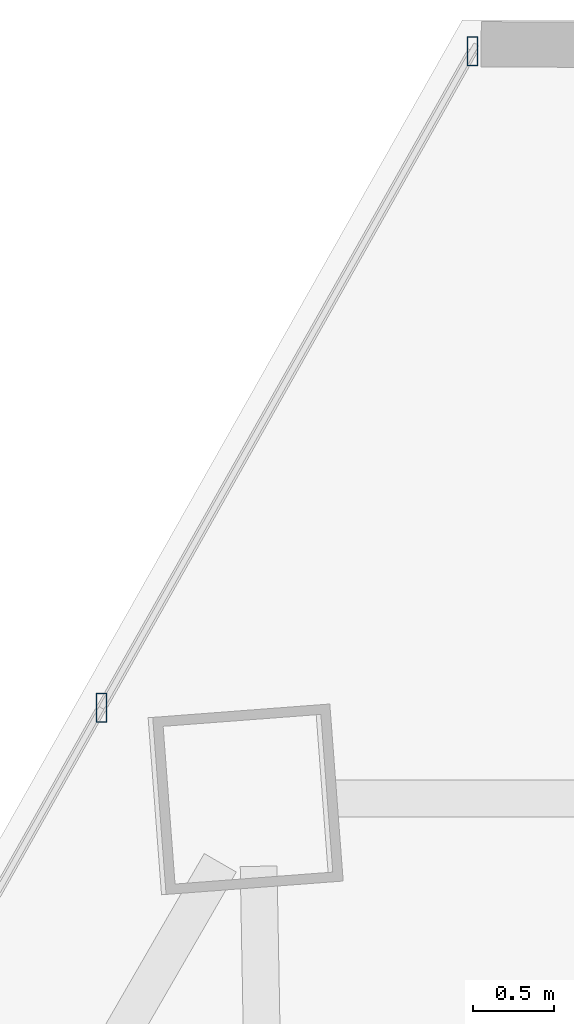
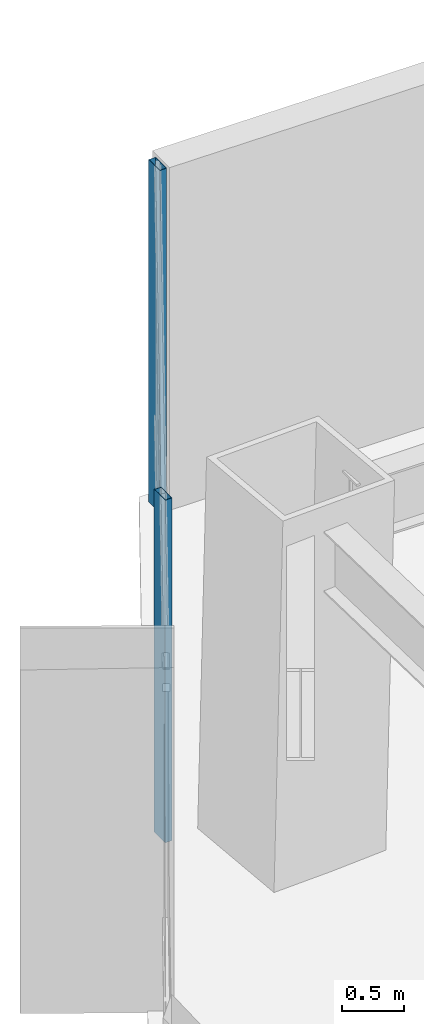
# One storey, part 25 of 35: 2 members, 1 element without a shape of its own.
"""IFC4 building model written with IfcOpenShell, lengths in metres."""

from ifc_helpers import new_model, si_unit, direction, frame, origin, origin_2d, place, context, subcontext, project, spatial, hollow_rectangle, extrude, source, transform, mapped, material, material_profile, profile_set, type_object, type_shapes, element, aggregate, save


model = new_model("IFC4")

# Units and contexts
model_context = context("Model", 3, precision=1e-05, world=origin(), true_north=direction((0.0, 1.0)))
body_context = subcontext(model_context, "Body", "Model", "MODEL_VIEW")
ifc_project = project(units=[si_unit("LENGTHUNIT", "METRE"), si_unit("AREAUNIT", "SQUARE_METRE"), si_unit("VOLUMEUNIT", "CUBIC_METRE"), si_unit("PLANEANGLEUNIT", "RADIAN"), si_unit("MASSUNIT", "GRAM", prefix="KILO")], contexts=[model_context])

# Site, building, storey
site_placement = place(None, origin())
site = spatial("IfcSite", under=ifc_project, at=site_placement, CompositionType="ELEMENT")
building_placement = place(site_placement, origin())
building = spatial("IfcBuilding", under=site, at=building_placement, Name="Caelisora Broadcast Tower", CompositionType="ELEMENT")
storey_placement = place(building_placement, frame((0.0, 0.0, 87.14990234375)))
storey = spatial("IfcBuildingStorey", under=building, at=storey_placement, Name="L22", CompositionType="ELEMENT", Elevation=87.14990234375)

# Curtain wall, members
ifc_material_1 = material(Name="Unitised Aluminium and Low-E Glass Curtain Wall", Category="glass")
curtain_wall_type = type_object("IfcCurtainWallType", Name="CW-Z2", PredefinedType="NOTDEFINED", material=ifc_material_1)
curtain_wall_placement = place(storey_placement, origin())
curtain_wall = element("IfcCurtainWall", 1, at=curtain_wall_placement, inside=storey, type_object=curtain_wall_type, Name="L22 curtain wall CW-Z2", PredefinedType="NOTDEFINED")
ifc_material_2 = material(Name="Aluminium 6063-T6 Anodised Terracotta Bronze", Category="aluminium")
ifc_material_profile = material_profile(ifc_material_2, hollow_rectangle(XDim=0.06494140625, YDim=0.179931640625, WallThickness=0.00341796875, at=origin_2d()), Name="Aluminium 6063-T6 Anodised Terracotta Bronze")
ifc_profile_set = profile_set([ifc_material_profile], Name="Aluminium 6063-T6 Anodised Terracotta Bronze")
member_type = type_object("IfcMemberType", Name="CWM-02", PredefinedType="MULLION", material=ifc_profile_set)
shared_shape = source(origin(), body_context, "Body", "SweptSolid", [
    extrude(hollow_rectangle(XDim=0.06494140625, YDim=0.179931640625, WallThickness=0.00341796875, at=origin_2d()), origin(), (0.0, 0.0, 1.0), 3.400146484375),
])
type_shapes(member_type, [shared_shape])
member_1_placement = place(storey_placement, frame((29.232421875, 46.944580078125, 0.0), z_axis=(0.0, 0.0, 1.0), x_axis=(1.0, 0.0, 0.0)))
member_1 = element("IfcMember", 2, at=member_1_placement, type_object=member_type, Name="L22-CW-B11 mullion #2", PredefinedType="MULLION", context=body_context, shape_type="MappedRepresentation", body=[
    mapped(shared_shape, transform((0.0, 0.0, 0.0), scale=1.0)),
])
member_2_placement = place(storey_placement, frame((31.530517578125, 51.013427734375, 0.0), z_axis=(0.0, 0.0, 1.0), x_axis=(1.0, 0.0, 0.0)))
member_2 = element("IfcMember", 3, at=member_2_placement, type_object=member_type, Name="L22-CW-B11 mullion #3", PredefinedType="MULLION", context=body_context, shape_type="MappedRepresentation", body=[
    mapped(shared_shape, transform((0.0, 0.0, 0.0), scale=1.0)),
])
aggregate(curtain_wall, [member_1, member_2])

save(model, "model.ifc")
